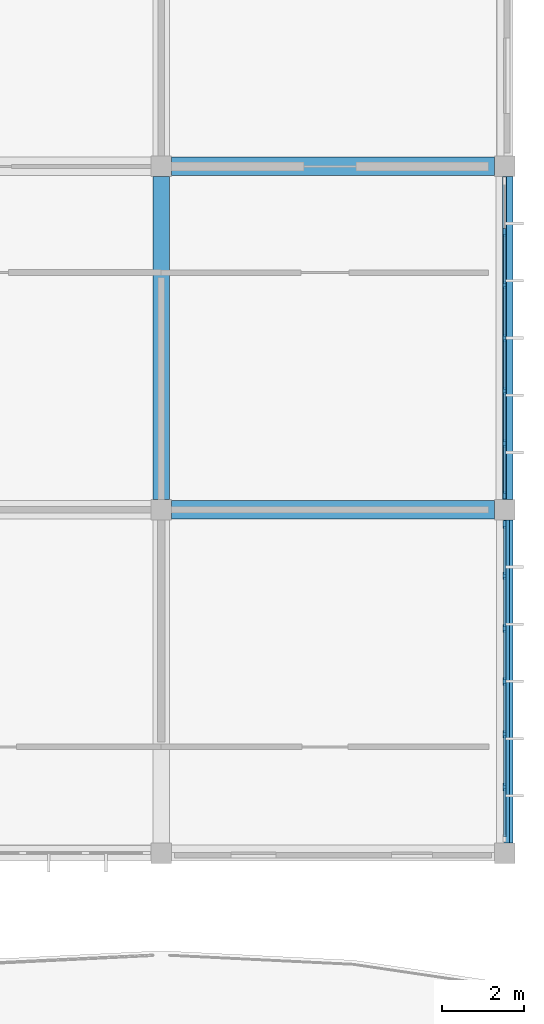
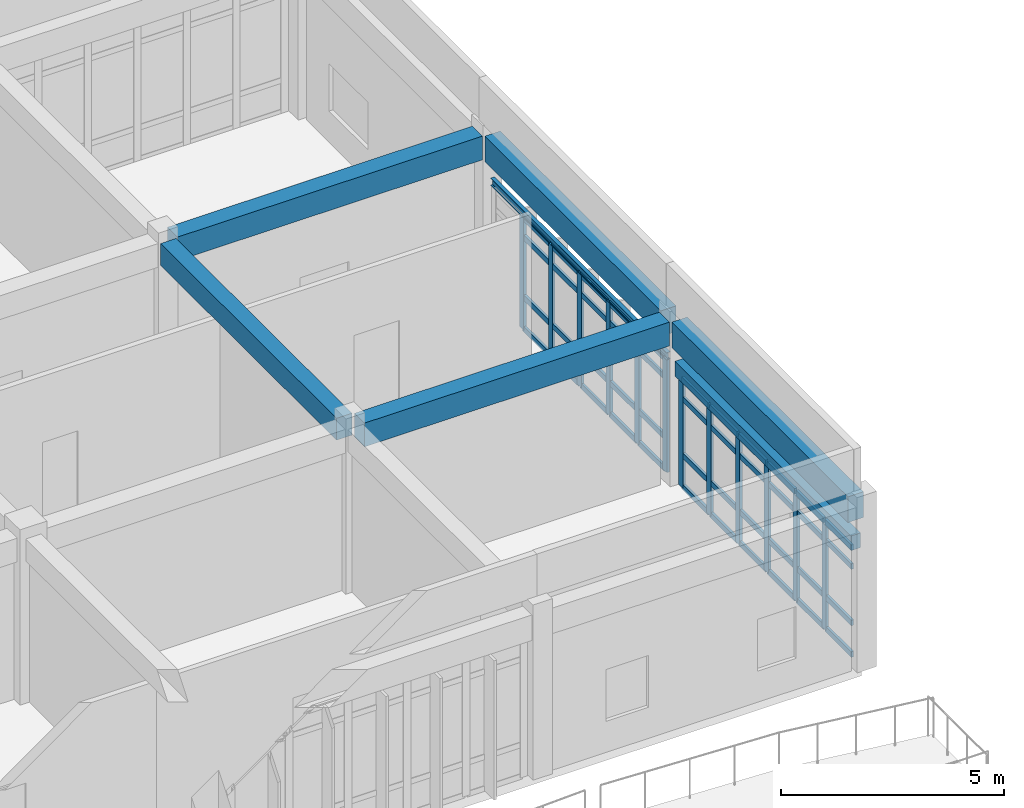
# One storey, part 60 of 138: 56 members, 7 beams, 2 elements without a shape of their own.
"""IFC4 building model written with IfcOpenShell, lengths in metres."""

from ifc_helpers import new_model, si_unit, direction, frame, origin, origin_2d, place, context, subcontext, project, spatial, rectangle, i_section, extrude, material, layer, layer_set, material_profile, profile_set, type_object, element, aggregate, save


model = new_model("IFC4")

# Units and contexts
model_context = context("Model", 3, precision=1e-05, world=origin(), true_north=direction((0.0, 1.0)))
body_context = subcontext(model_context, "Body", "Model", "MODEL_VIEW")
ifc_project = project(units=[si_unit("LENGTHUNIT", "METRE"), si_unit("AREAUNIT", "SQUARE_METRE"), si_unit("VOLUMEUNIT", "CUBIC_METRE"), si_unit("PLANEANGLEUNIT", "RADIAN"), si_unit("MASSUNIT", "GRAM", prefix="KILO")], contexts=[model_context])

# Site, building, storey
site_placement = place(None, origin())
site = spatial("IfcSite", under=ifc_project, at=site_placement, CompositionType="ELEMENT")
building_placement = place(site_placement, origin())
building = spatial("IfcBuilding", under=site, at=building_placement, Name="Bramfleet General Hospital", CompositionType="ELEMENT")
storey_placement = place(building_placement, origin())
storey = spatial("IfcBuildingStorey", under=building, at=storey_placement, Name="L00", CompositionType="ELEMENT", Elevation=0.0)

# Beams
ifc_material_1 = material(Name="Steel S355", Category="steel")
ifc_material_profile_1 = material_profile(ifc_material_1, i_section(OverallWidth=0.10009765625, OverallDepth=0.199951171875, WebThickness=0.005615234375, FlangeThickness=0.008544921875, FilletRadius=0.011962890625, at=origin_2d()), Name="IPE 200")
ifc_profile_set_1 = profile_set([ifc_material_profile_1], Name="Steel S355")
beam_type_1 = type_object("IfcBeamType", Name="BM-IPE200", PredefinedType="LINTEL", material=ifc_profile_set_1)
beam_1_placement = place(storey_placement, frame((184.800048828125, 101.050048828125, 3.199951171875), z_axis=(0.0, 1.0, 0.0), x_axis=(-1.0, 0.0, 0.0)))
element("IfcBeam", 1, at=beam_1_placement, inside=storey, type_object=beam_type_1, Name="Portal Opening Lintel LN-L00-DOCK-2", PredefinedType="LINTEL", context=body_context, shape_type="SweptSolid", body=[
    extrude(i_section(OverallWidth=0.10009765625, OverallDepth=0.199951171875, WebThickness=0.005615234375, FlangeThickness=0.008544921875, FilletRadius=0.011962890625, at=origin_2d()), origin(), (0.0, 0.0, 1.0), 7.89990234375),
])
ifc_material_2 = material(Name="Concrete C35/45", Category="concrete")
ifc_material_profile_2 = material_profile(ifc_material_2, rectangle(XDim=0.25, YDim=0.39990234375, at=origin_2d()), Name="RC LN 400x250")
ifc_profile_set_2 = profile_set([ifc_material_profile_2], Name="Concrete C35/45")
beam_type_2 = type_object("IfcBeamType", Name="BM-LN400", PredefinedType="LINTEL", material=ifc_profile_set_2)
beam_2_placement = place(storey_placement, frame((184.800048828125, 92.64990234375, 3.199951171875), z_axis=(0.0, 1.0, 0.0), x_axis=(-1.0, 0.0, 0.0)))
element("IfcBeam", 2, at=beam_2_placement, inside=storey, type_object=beam_type_2, Name="Portal Opening Lintel LN-L00-DOCK-1", PredefinedType="LINTEL", context=body_context, shape_type="SweptSolid", body=[
    extrude(rectangle(XDim=0.25, YDim=0.39990234375, at=origin_2d()), origin(), (0.0, 0.0, 1.0), 7.900146484375),
])
ifc_material_profile_3 = material_profile(ifc_material_2, rectangle(XDim=0.39990234375, YDim=0.60009765625, at=origin_2d()), Name="RC BM 600x400")
ifc_profile_set_3 = profile_set([ifc_material_profile_3], Name="Concrete C35/45")
beam_type_3 = type_object("IfcBeamType", Name="BM-RC600", PredefinedType="BEAM", material=ifc_profile_set_3)
beam_3_placement = place(storey_placement, frame((176.39990234375, 101.050048828125, 4.199951171875), z_axis=(0.0, 1.0, 0.0), x_axis=(-1.0, 0.0, 0.0)))
element("IfcBeam", 3, at=beam_3_placement, inside=storey, type_object=beam_type_3, Name="L00 Grid Beam Y 21-12", PredefinedType="BEAM", context=body_context, shape_type="SweptSolid", body=[
    extrude(rectangle(XDim=0.39990234375, YDim=0.60009765625, at=origin_2d()), origin(), (0.0, 0.0, 1.0), 7.89990234375),
])
ifc_material_profile_4 = material_profile(ifc_material_2, rectangle(XDim=0.449951171875, YDim=0.64990234375, at=origin_2d()), Name="RC BM 650x450")
ifc_profile_set_4 = profile_set([ifc_material_profile_4], Name="Concrete C35/45")
beam_type_4 = type_object("IfcBeamType", Name="BM-RC650", PredefinedType="BEAM", material=ifc_profile_set_4)
for number, where, z_axis, x_axis, name in (
    (4, (176.64990234375, 100.800048828125, 4.175048828125), (1.0, 0.0, 0.0), (0.0, 1.0, 0.0), "L00 Grid Beam X 21-12"),
    (5, (176.64990234375, 109.199951171875, 4.175048828125), (1.0, 0.0, 0.0), (0.0, 1.0, 0.0), "L00 Grid Beam X 21-13"),
):
    element("IfcBeam", number, at=place(storey_placement, frame(where, z_axis=z_axis, x_axis=x_axis)), inside=storey, type_object=beam_type_4, Name=name, PredefinedType="BEAM", context=body_context, shape_type="SweptSolid", body=[
        extrude(rectangle(XDim=0.449951171875, YDim=0.64990234375, at=origin_2d()), origin(), (0.0, 0.0, 1.0), 7.900146484375),
    ])
ifc_material_profile_5 = material_profile(ifc_material_2, rectangle(XDim=0.39990234375, YDim=0.699951171875, at=origin_2d()), Name="RC SP 700x400")
ifc_profile_set_5 = profile_set([ifc_material_profile_5], Name="Concrete C35/45")
beam_type_5 = type_object("IfcBeamType", Name="BM-SP700", PredefinedType="SPANDREL", material=ifc_profile_set_5)
beam_4_placement = place(storey_placement, frame((184.800048828125, 92.64990234375, 4.14990234375), z_axis=(0.0, 1.0, 0.0), x_axis=(-1.0, 0.0, 0.0)))
element("IfcBeam", 6, at=beam_4_placement, inside=storey, type_object=beam_type_5, Name="L00 Grid Beam Y 22-11", PredefinedType="SPANDREL", context=body_context, shape_type="SweptSolid", body=[
    extrude(rectangle(XDim=0.39990234375, YDim=0.699951171875, at=origin_2d()), origin(), (0.0, 0.0, 1.0), 7.900146484375),
])
beam_5_placement = place(storey_placement, frame((184.800048828125, 101.050048828125, 4.14990234375), z_axis=(0.0, 1.0, 0.0), x_axis=(-1.0, 0.0, 0.0)))
element("IfcBeam", 7, at=beam_5_placement, inside=storey, type_object=beam_type_5, Name="L00 Grid Beam Y 22-12", PredefinedType="SPANDREL", context=body_context, shape_type="SweptSolid", body=[
    extrude(rectangle(XDim=0.39990234375, YDim=0.699951171875, at=origin_2d()), origin(), (0.0, 0.0, 1.0), 7.89990234375),
])

# Curtain wall, members
ifc_material_3 = material(Name="Anodised aluminium and low-E triple glazing", Category="aluminium")
ifc_layer_1 = layer(ifc_material_3, 0.179931640625, Name="CWT-CW-07")
ifc_layer_set_1 = layer_set([ifc_layer_1], Name="Anodised aluminium and low-E triple glazing")
curtain_wall_type_1 = type_object("IfcCurtainWallType", Name="CWT-CW-07", PredefinedType="USERDEFINED", material=ifc_layer_set_1)
curtain_wall_1_placement = place(storey_placement, origin())
curtain_wall_1 = element("IfcCurtainWall", 8, at=curtain_wall_1_placement, inside=storey, type_object=curtain_wall_type_1, Name="L00 Curtain Wall 7", ObjectType="Unitised curtain wall", PredefinedType="USERDEFINED")
ifc_material_4 = material(Name="Structural timber GL28h", Category="wood")
ifc_material_profile_6 = material_profile(ifc_material_4, rectangle(XDim=0.070068359375, YDim=0.18994140625, at=origin_2d()), Name="LARCH 190x70")
ifc_profile_set_6 = profile_set([ifc_material_profile_6], Name="Structural timber GL28h")
member_type_1 = type_object("IfcMemberType", Name="CWM-LARCH450", PredefinedType="MULLION", material=ifc_profile_set_6)
member_1_placement = place(storey_placement, frame((184.800048828125, 107.583251953125, 0.0), z_axis=(0.0, 0.0, 1.0), x_axis=(1.0, 0.0, 0.0)))
member_1 = element("IfcMember", 9, at=member_1_placement, type_object=member_type_1, Name="CW-07 mullion 2", PredefinedType="MULLION", context=body_context, shape_type="SweptSolid", body=[
    extrude(rectangle(XDim=0.070068359375, YDim=0.18994140625, at=origin_2d()), origin(), (0.0, 0.0, 1.0), 3.090087890625),
])
member_2_placement = place(storey_placement, frame((184.800048828125, 106.291748046875, 0.0), z_axis=(0.0, 0.0, 1.0), x_axis=(1.0, 0.0, 0.0)))
member_2 = element("IfcMember", 10, at=member_2_placement, type_object=member_type_1, Name="CW-07 mullion 3", PredefinedType="MULLION", context=body_context, shape_type="SweptSolid", body=[
    extrude(rectangle(XDim=0.070068359375, YDim=0.18994140625, at=origin_2d()), origin(), (0.0, 0.0, 1.0), 3.090087890625),
])
member_3_placement = place(storey_placement, frame((184.800048828125, 105.0, 0.0), z_axis=(0.0, 0.0, 1.0), x_axis=(1.0, 0.0, 0.0)))
member_3 = element("IfcMember", 11, at=member_3_placement, type_object=member_type_1, Name="CW-07 mullion 4", PredefinedType="MULLION", context=body_context, shape_type="SweptSolid", body=[
    extrude(rectangle(XDim=0.070068359375, YDim=0.18994140625, at=origin_2d()), origin(), (0.0, 0.0, 1.0), 3.090087890625),
])
member_4_placement = place(storey_placement, frame((184.800048828125, 103.708251953125, 0.0), z_axis=(0.0, 0.0, 1.0), x_axis=(1.0, 0.0, 0.0)))
member_4 = element("IfcMember", 12, at=member_4_placement, type_object=member_type_1, Name="CW-07 mullion 5", PredefinedType="MULLION", context=body_context, shape_type="SweptSolid", body=[
    extrude(rectangle(XDim=0.070068359375, YDim=0.18994140625, at=origin_2d()), origin(), (0.0, 0.0, 1.0), 3.090087890625),
])
member_5_placement = place(storey_placement, frame((184.800048828125, 102.416748046875, 0.0), z_axis=(0.0, 0.0, 1.0), x_axis=(1.0, 0.0, 0.0)))
member_5 = element("IfcMember", 13, at=member_5_placement, type_object=member_type_1, Name="CW-07 mullion 6", PredefinedType="MULLION", context=body_context, shape_type="SweptSolid", body=[
    extrude(rectangle(XDim=0.070068359375, YDim=0.18994140625, at=origin_2d()), origin(), (0.0, 0.0, 1.0), 3.090087890625),
])
member_6_placement = place(storey_placement, frame((184.800048828125, 101.159912109375, 0.0), z_axis=(0.0, 0.0, 1.0), x_axis=(1.0, 0.0, 0.0)))
member_6 = element("IfcMember", 14, at=member_6_placement, type_object=member_type_1, Name="CW-07 mullion 7", PredefinedType="MULLION", context=body_context, shape_type="SweptSolid", body=[
    extrude(rectangle(XDim=0.070068359375, YDim=0.18994140625, at=origin_2d()), origin(), (0.0, 0.0, 1.0), 3.090087890625),
])

ifc_layer_2 = layer(ifc_material_3, 0.179931640625, Name="CWT-CW-08")
ifc_layer_set_2 = layer_set([ifc_layer_2], Name="Anodised aluminium and low-E triple glazing")
curtain_wall_type_2 = type_object("IfcCurtainWallType", Name="CWT-CW-08", PredefinedType="USERDEFINED", material=ifc_layer_set_2)
curtain_wall_2_placement = place(storey_placement, origin())
curtain_wall_2 = element("IfcCurtainWall", 15, at=curtain_wall_2_placement, inside=storey, type_object=curtain_wall_type_2, Name="L00 Curtain Wall 8", ObjectType="Unitised curtain wall", PredefinedType="USERDEFINED")
member_7_placement = place(storey_placement, frame((184.800048828125, 100.43994140625, 0.0), z_axis=(0.0, 0.0, 1.0), x_axis=(1.0, 0.0, 0.0)))
member_7 = element("IfcMember", 16, at=member_7_placement, type_object=member_type_1, Name="CW-08 mullion 1", PredefinedType="MULLION", context=body_context, shape_type="SweptSolid", body=[
    extrude(rectangle(XDim=0.070068359375, YDim=0.18994140625, at=origin_2d()), origin(), (0.0, 0.0, 1.0), 2.989990234375),
])
member_8_placement = place(storey_placement, frame((184.800048828125, 99.183349609375, 0.0), z_axis=(0.0, 0.0, 1.0), x_axis=(1.0, 0.0, 0.0)))
member_8 = element("IfcMember", 17, at=member_8_placement, type_object=member_type_1, Name="CW-08 mullion 2", PredefinedType="MULLION", context=body_context, shape_type="SweptSolid", body=[
    extrude(rectangle(XDim=0.070068359375, YDim=0.18994140625, at=origin_2d()), origin(), (0.0, 0.0, 1.0), 2.989990234375),
])
member_9_placement = place(storey_placement, frame((184.800048828125, 97.8916015625, 0.0), z_axis=(0.0, 0.0, 1.0), x_axis=(1.0, 0.0, 0.0)))
member_9 = element("IfcMember", 18, at=member_9_placement, type_object=member_type_1, Name="CW-08 mullion 3", PredefinedType="MULLION", context=body_context, shape_type="SweptSolid", body=[
    extrude(rectangle(XDim=0.070068359375, YDim=0.18994140625, at=origin_2d()), origin(), (0.0, 0.0, 1.0), 2.989990234375),
])
member_10_placement = place(storey_placement, frame((184.800048828125, 96.60009765625, 0.0), z_axis=(0.0, 0.0, 1.0), x_axis=(1.0, 0.0, 0.0)))
member_10 = element("IfcMember", 19, at=member_10_placement, type_object=member_type_1, Name="CW-08 mullion 4", PredefinedType="MULLION", context=body_context, shape_type="SweptSolid", body=[
    extrude(rectangle(XDim=0.070068359375, YDim=0.18994140625, at=origin_2d()), origin(), (0.0, 0.0, 1.0), 2.989990234375),
])
member_11_placement = place(storey_placement, frame((184.800048828125, 95.308349609375, 0.0), z_axis=(0.0, 0.0, 1.0), x_axis=(1.0, 0.0, 0.0)))
member_11 = element("IfcMember", 20, at=member_11_placement, type_object=member_type_1, Name="CW-08 mullion 5", PredefinedType="MULLION", context=body_context, shape_type="SweptSolid", body=[
    extrude(rectangle(XDim=0.070068359375, YDim=0.18994140625, at=origin_2d()), origin(), (0.0, 0.0, 1.0), 2.989990234375),
])
member_12_placement = place(storey_placement, frame((184.800048828125, 94.0166015625, 0.0), z_axis=(0.0, 0.0, 1.0), x_axis=(1.0, 0.0, 0.0)))
member_12 = element("IfcMember", 21, at=member_12_placement, type_object=member_type_1, Name="CW-08 mullion 6", PredefinedType="MULLION", context=body_context, shape_type="SweptSolid", body=[
    extrude(rectangle(XDim=0.070068359375, YDim=0.18994140625, at=origin_2d()), origin(), (0.0, 0.0, 1.0), 2.989990234375),
])

# Member
ifc_material_profile_7 = material_profile(ifc_material_4, rectangle(XDim=0.06494140625, YDim=0.14990234375, at=origin_2d()), Name="LARCH 150x65")
ifc_profile_set_7 = profile_set([ifc_material_profile_7], Name="Structural timber GL28h")
member_type_2 = type_object("IfcMemberType", Name="CWT-LARCH220", PredefinedType="USERDEFINED", material=ifc_profile_set_7)
member_13_placement = place(storey_placement, frame((184.800048828125, 107.54833984375, 0.032470703125), z_axis=(0.0, -1.0, 0.0), x_axis=(1.0, 0.0, 0.0)))
member_13 = element("IfcMember", 22, at=member_13_placement, type_object=member_type_2, Name="CW-07 transom 2.1", ObjectType="TRANSOM", PredefinedType="USERDEFINED", context=body_context, shape_type="SweptSolid", body=[
    extrude(rectangle(XDim=0.06494140625, YDim=0.14990234375, at=origin_2d()), origin(), (0.0, 0.0, 1.0), 1.2216796875),
])

member_14_placement = place(storey_placement, frame((184.800048828125, 107.54833984375, 0.89990234375), z_axis=(0.0, -1.0, 0.0), x_axis=(1.0, 0.0, 0.0)))
member_14 = element("IfcMember", 23, at=member_14_placement, type_object=member_type_2, Name="CW-07 transom 2.2", ObjectType="TRANSOM", PredefinedType="USERDEFINED", context=body_context, shape_type="SweptSolid", body=[
    extrude(rectangle(XDim=0.06494140625, YDim=0.14990234375, at=origin_2d()), origin(), (0.0, 0.0, 1.0), 1.2216796875),
])

member_15_placement = place(storey_placement, frame((184.800048828125, 107.54833984375, 2.5400390625), z_axis=(0.0, -1.0, 0.0), x_axis=(1.0, 0.0, 0.0)))
member_15 = element("IfcMember", 24, at=member_15_placement, type_object=member_type_2, Name="CW-07 transom 2.3", ObjectType="TRANSOM", PredefinedType="USERDEFINED", context=body_context, shape_type="SweptSolid", body=[
    extrude(rectangle(XDim=0.06494140625, YDim=0.14990234375, at=origin_2d()), origin(), (0.0, 0.0, 1.0), 1.2216796875),
])

member_16_placement = place(storey_placement, frame((184.800048828125, 107.54833984375, 3.0576171875), z_axis=(0.0, -1.0, 0.0), x_axis=(1.0, 0.0, 0.0)))
member_16 = element("IfcMember", 25, at=member_16_placement, type_object=member_type_2, Name="CW-07 transom 2.4", ObjectType="TRANSOM", PredefinedType="USERDEFINED", context=body_context, shape_type="SweptSolid", body=[
    extrude(rectangle(XDim=0.06494140625, YDim=0.14990234375, at=origin_2d()), origin(), (0.0, 0.0, 1.0), 1.2216796875),
])

member_17_placement = place(storey_placement, frame((184.800048828125, 106.256591796875, 0.032470703125), z_axis=(0.0, -1.0, 0.0), x_axis=(1.0, 0.0, 0.0)))
member_17 = element("IfcMember", 26, at=member_17_placement, type_object=member_type_2, Name="CW-07 transom 3.1", ObjectType="TRANSOM", PredefinedType="USERDEFINED", context=body_context, shape_type="SweptSolid", body=[
    extrude(rectangle(XDim=0.06494140625, YDim=0.14990234375, at=origin_2d()), origin(), (0.0, 0.0, 1.0), 1.2216796875),
])

member_18_placement = place(storey_placement, frame((184.800048828125, 106.256591796875, 0.89990234375), z_axis=(0.0, -1.0, 0.0), x_axis=(1.0, 0.0, 0.0)))
member_18 = element("IfcMember", 27, at=member_18_placement, type_object=member_type_2, Name="CW-07 transom 3.2", ObjectType="TRANSOM", PredefinedType="USERDEFINED", context=body_context, shape_type="SweptSolid", body=[
    extrude(rectangle(XDim=0.06494140625, YDim=0.14990234375, at=origin_2d()), origin(), (0.0, 0.0, 1.0), 1.2216796875),
])

member_19_placement = place(storey_placement, frame((184.800048828125, 106.256591796875, 2.5400390625), z_axis=(0.0, -1.0, 0.0), x_axis=(1.0, 0.0, 0.0)))
member_19 = element("IfcMember", 28, at=member_19_placement, type_object=member_type_2, Name="CW-07 transom 3.3", ObjectType="TRANSOM", PredefinedType="USERDEFINED", context=body_context, shape_type="SweptSolid", body=[
    extrude(rectangle(XDim=0.06494140625, YDim=0.14990234375, at=origin_2d()), origin(), (0.0, 0.0, 1.0), 1.2216796875),
])

member_20_placement = place(storey_placement, frame((184.800048828125, 106.256591796875, 3.0576171875), z_axis=(0.0, -1.0, 0.0), x_axis=(1.0, 0.0, 0.0)))
member_20 = element("IfcMember", 29, at=member_20_placement, type_object=member_type_2, Name="CW-07 transom 3.4", ObjectType="TRANSOM", PredefinedType="USERDEFINED", context=body_context, shape_type="SweptSolid", body=[
    extrude(rectangle(XDim=0.06494140625, YDim=0.14990234375, at=origin_2d()), origin(), (0.0, 0.0, 1.0), 1.2216796875),
])

member_21_placement = place(storey_placement, frame((184.800048828125, 104.965087890625, 0.032470703125), z_axis=(0.0, -1.0, 0.0), x_axis=(1.0, 0.0, 0.0)))
member_21 = element("IfcMember", 30, at=member_21_placement, type_object=member_type_2, Name="CW-07 transom 4.1", ObjectType="TRANSOM", PredefinedType="USERDEFINED", context=body_context, shape_type="SweptSolid", body=[
    extrude(rectangle(XDim=0.06494140625, YDim=0.14990234375, at=origin_2d()), origin(), (0.0, 0.0, 1.0), 1.2216796875),
])

member_22_placement = place(storey_placement, frame((184.800048828125, 104.965087890625, 0.89990234375), z_axis=(0.0, -1.0, 0.0), x_axis=(1.0, 0.0, 0.0)))
member_22 = element("IfcMember", 31, at=member_22_placement, type_object=member_type_2, Name="CW-07 transom 4.2", ObjectType="TRANSOM", PredefinedType="USERDEFINED", context=body_context, shape_type="SweptSolid", body=[
    extrude(rectangle(XDim=0.06494140625, YDim=0.14990234375, at=origin_2d()), origin(), (0.0, 0.0, 1.0), 1.2216796875),
])

member_23_placement = place(storey_placement, frame((184.800048828125, 104.965087890625, 2.5400390625), z_axis=(0.0, -1.0, 0.0), x_axis=(1.0, 0.0, 0.0)))
member_23 = element("IfcMember", 32, at=member_23_placement, type_object=member_type_2, Name="CW-07 transom 4.3", ObjectType="TRANSOM", PredefinedType="USERDEFINED", context=body_context, shape_type="SweptSolid", body=[
    extrude(rectangle(XDim=0.06494140625, YDim=0.14990234375, at=origin_2d()), origin(), (0.0, 0.0, 1.0), 1.2216796875),
])

member_24_placement = place(storey_placement, frame((184.800048828125, 104.965087890625, 3.0576171875), z_axis=(0.0, -1.0, 0.0), x_axis=(1.0, 0.0, 0.0)))
member_24 = element("IfcMember", 33, at=member_24_placement, type_object=member_type_2, Name="CW-07 transom 4.4", ObjectType="TRANSOM", PredefinedType="USERDEFINED", context=body_context, shape_type="SweptSolid", body=[
    extrude(rectangle(XDim=0.06494140625, YDim=0.14990234375, at=origin_2d()), origin(), (0.0, 0.0, 1.0), 1.2216796875),
])

member_25_placement = place(storey_placement, frame((184.800048828125, 103.67333984375, 0.032470703125), z_axis=(0.0, -1.0, 0.0), x_axis=(1.0, 0.0, 0.0)))
member_25 = element("IfcMember", 34, at=member_25_placement, type_object=member_type_2, Name="CW-07 transom 5.1", ObjectType="TRANSOM", PredefinedType="USERDEFINED", context=body_context, shape_type="SweptSolid", body=[
    extrude(rectangle(XDim=0.06494140625, YDim=0.14990234375, at=origin_2d()), origin(), (0.0, 0.0, 1.0), 1.2216796875),
])

member_26_placement = place(storey_placement, frame((184.800048828125, 103.67333984375, 0.89990234375), z_axis=(0.0, -1.0, 0.0), x_axis=(1.0, 0.0, 0.0)))
member_26 = element("IfcMember", 35, at=member_26_placement, type_object=member_type_2, Name="CW-07 transom 5.2", ObjectType="TRANSOM", PredefinedType="USERDEFINED", context=body_context, shape_type="SweptSolid", body=[
    extrude(rectangle(XDim=0.06494140625, YDim=0.14990234375, at=origin_2d()), origin(), (0.0, 0.0, 1.0), 1.2216796875),
])

member_27_placement = place(storey_placement, frame((184.800048828125, 103.67333984375, 2.5400390625), z_axis=(0.0, -1.0, 0.0), x_axis=(1.0, 0.0, 0.0)))
member_27 = element("IfcMember", 36, at=member_27_placement, type_object=member_type_2, Name="CW-07 transom 5.3", ObjectType="TRANSOM", PredefinedType="USERDEFINED", context=body_context, shape_type="SweptSolid", body=[
    extrude(rectangle(XDim=0.06494140625, YDim=0.14990234375, at=origin_2d()), origin(), (0.0, 0.0, 1.0), 1.2216796875),
])

member_28_placement = place(storey_placement, frame((184.800048828125, 103.67333984375, 3.0576171875), z_axis=(0.0, -1.0, 0.0), x_axis=(1.0, 0.0, 0.0)))
member_28 = element("IfcMember", 37, at=member_28_placement, type_object=member_type_2, Name="CW-07 transom 5.4", ObjectType="TRANSOM", PredefinedType="USERDEFINED", context=body_context, shape_type="SweptSolid", body=[
    extrude(rectangle(XDim=0.06494140625, YDim=0.14990234375, at=origin_2d()), origin(), (0.0, 0.0, 1.0), 1.2216796875),
])

member_29_placement = place(storey_placement, frame((184.800048828125, 102.381591796875, 0.032470703125), z_axis=(0.0, -1.0, 0.0), x_axis=(1.0, 0.0, 0.0)))
member_29 = element("IfcMember", 38, at=member_29_placement, type_object=member_type_2, Name="CW-07 transom 6.1", ObjectType="TRANSOM", PredefinedType="USERDEFINED", context=body_context, shape_type="SweptSolid", body=[
    extrude(rectangle(XDim=0.06494140625, YDim=0.14990234375, at=origin_2d()), origin(), (0.0, 0.0, 1.0), 1.1865234375),
])

member_30_placement = place(storey_placement, frame((184.800048828125, 102.381591796875, 0.89990234375), z_axis=(0.0, -1.0, 0.0), x_axis=(1.0, 0.0, 0.0)))
member_30 = element("IfcMember", 39, at=member_30_placement, type_object=member_type_2, Name="CW-07 transom 6.2", ObjectType="TRANSOM", PredefinedType="USERDEFINED", context=body_context, shape_type="SweptSolid", body=[
    extrude(rectangle(XDim=0.06494140625, YDim=0.14990234375, at=origin_2d()), origin(), (0.0, 0.0, 1.0), 1.1865234375),
])

member_31_placement = place(storey_placement, frame((184.800048828125, 102.381591796875, 2.5400390625), z_axis=(0.0, -1.0, 0.0), x_axis=(1.0, 0.0, 0.0)))
member_31 = element("IfcMember", 40, at=member_31_placement, type_object=member_type_2, Name="CW-07 transom 6.3", ObjectType="TRANSOM", PredefinedType="USERDEFINED", context=body_context, shape_type="SweptSolid", body=[
    extrude(rectangle(XDim=0.06494140625, YDim=0.14990234375, at=origin_2d()), origin(), (0.0, 0.0, 1.0), 1.1865234375),
])

member_32_placement = place(storey_placement, frame((184.800048828125, 102.381591796875, 3.0576171875), z_axis=(0.0, -1.0, 0.0), x_axis=(1.0, 0.0, 0.0)))
member_32 = element("IfcMember", 41, at=member_32_placement, type_object=member_type_2, Name="CW-07 transom 6.4", ObjectType="TRANSOM", PredefinedType="USERDEFINED", context=body_context, shape_type="SweptSolid", body=[
    extrude(rectangle(XDim=0.06494140625, YDim=0.14990234375, at=origin_2d()), origin(), (0.0, 0.0, 1.0), 1.1865234375),
])

aggregate(curtain_wall_1, [member_1, member_2, member_3, member_4, member_5, member_6, member_13, member_14, member_15, member_16, member_17, member_18, member_19, member_20, member_21, member_22, member_23, member_24, member_25, member_26, member_27, member_28, member_29, member_30, member_31, member_32])

member_33_placement = place(storey_placement, frame((184.800048828125, 100.405029296875, 0.032470703125), z_axis=(0.0, -1.0, 0.0), x_axis=(1.0, 0.0, 0.0)))
member_33 = element("IfcMember", 42, at=member_33_placement, type_object=member_type_2, Name="CW-08 transom 1.1", ObjectType="TRANSOM", PredefinedType="USERDEFINED", context=body_context, shape_type="SweptSolid", body=[
    extrude(rectangle(XDim=0.06494140625, YDim=0.14990234375, at=origin_2d()), origin(), (0.0, 0.0, 1.0), 1.186767578125),
])

member_34_placement = place(storey_placement, frame((184.800048828125, 100.405029296875, 0.89990234375), z_axis=(0.0, -1.0, 0.0), x_axis=(1.0, 0.0, 0.0)))
member_34 = element("IfcMember", 43, at=member_34_placement, type_object=member_type_2, Name="CW-08 transom 1.2", ObjectType="TRANSOM", PredefinedType="USERDEFINED", context=body_context, shape_type="SweptSolid", body=[
    extrude(rectangle(XDim=0.06494140625, YDim=0.14990234375, at=origin_2d()), origin(), (0.0, 0.0, 1.0), 1.186767578125),
])

member_35_placement = place(storey_placement, frame((184.800048828125, 100.405029296875, 2.43994140625), z_axis=(0.0, -1.0, 0.0), x_axis=(1.0, 0.0, 0.0)))
member_35 = element("IfcMember", 44, at=member_35_placement, type_object=member_type_2, Name="CW-08 transom 1.3", ObjectType="TRANSOM", PredefinedType="USERDEFINED", context=body_context, shape_type="SweptSolid", body=[
    extrude(rectangle(XDim=0.06494140625, YDim=0.14990234375, at=origin_2d()), origin(), (0.0, 0.0, 1.0), 1.186767578125),
])

member_36_placement = place(storey_placement, frame((184.800048828125, 100.405029296875, 2.95751953125), z_axis=(0.0, -1.0, 0.0), x_axis=(1.0, 0.0, 0.0)))
member_36 = element("IfcMember", 45, at=member_36_placement, type_object=member_type_2, Name="CW-08 transom 1.4", ObjectType="TRANSOM", PredefinedType="USERDEFINED", context=body_context, shape_type="SweptSolid", body=[
    extrude(rectangle(XDim=0.06494140625, YDim=0.14990234375, at=origin_2d()), origin(), (0.0, 0.0, 1.0), 1.186767578125),
])

member_37_placement = place(storey_placement, frame((184.800048828125, 99.1484375, 0.032470703125), z_axis=(0.0, -1.0, 0.0), x_axis=(1.0, 0.0, 0.0)))
member_37 = element("IfcMember", 46, at=member_37_placement, type_object=member_type_2, Name="CW-08 transom 2.1", ObjectType="TRANSOM", PredefinedType="USERDEFINED", context=body_context, shape_type="SweptSolid", body=[
    extrude(rectangle(XDim=0.06494140625, YDim=0.14990234375, at=origin_2d()), origin(), (0.0, 0.0, 1.0), 1.2216796875),
])

member_38_placement = place(storey_placement, frame((184.800048828125, 99.1484375, 0.89990234375), z_axis=(0.0, -1.0, 0.0), x_axis=(1.0, 0.0, 0.0)))
member_38 = element("IfcMember", 47, at=member_38_placement, type_object=member_type_2, Name="CW-08 transom 2.2", ObjectType="TRANSOM", PredefinedType="USERDEFINED", context=body_context, shape_type="SweptSolid", body=[
    extrude(rectangle(XDim=0.06494140625, YDim=0.14990234375, at=origin_2d()), origin(), (0.0, 0.0, 1.0), 1.2216796875),
])

member_39_placement = place(storey_placement, frame((184.800048828125, 99.1484375, 2.43994140625), z_axis=(0.0, -1.0, 0.0), x_axis=(1.0, 0.0, 0.0)))
member_39 = element("IfcMember", 48, at=member_39_placement, type_object=member_type_2, Name="CW-08 transom 2.3", ObjectType="TRANSOM", PredefinedType="USERDEFINED", context=body_context, shape_type="SweptSolid", body=[
    extrude(rectangle(XDim=0.06494140625, YDim=0.14990234375, at=origin_2d()), origin(), (0.0, 0.0, 1.0), 1.2216796875),
])

member_40_placement = place(storey_placement, frame((184.800048828125, 99.1484375, 2.95751953125), z_axis=(0.0, -1.0, 0.0), x_axis=(1.0, 0.0, 0.0)))
member_40 = element("IfcMember", 49, at=member_40_placement, type_object=member_type_2, Name="CW-08 transom 2.4", ObjectType="TRANSOM", PredefinedType="USERDEFINED", context=body_context, shape_type="SweptSolid", body=[
    extrude(rectangle(XDim=0.06494140625, YDim=0.14990234375, at=origin_2d()), origin(), (0.0, 0.0, 1.0), 1.2216796875),
])

member_41_placement = place(storey_placement, frame((184.800048828125, 97.856689453125, 0.032470703125), z_axis=(0.0, -1.0, 0.0), x_axis=(1.0, 0.0, 0.0)))
member_41 = element("IfcMember", 50, at=member_41_placement, type_object=member_type_2, Name="CW-08 transom 3.1", ObjectType="TRANSOM", PredefinedType="USERDEFINED", context=body_context, shape_type="SweptSolid", body=[
    extrude(rectangle(XDim=0.06494140625, YDim=0.14990234375, at=origin_2d()), origin(), (0.0, 0.0, 1.0), 1.2216796875),
])

member_42_placement = place(storey_placement, frame((184.800048828125, 97.856689453125, 0.89990234375), z_axis=(0.0, -1.0, 0.0), x_axis=(1.0, 0.0, 0.0)))
member_42 = element("IfcMember", 51, at=member_42_placement, type_object=member_type_2, Name="CW-08 transom 3.2", ObjectType="TRANSOM", PredefinedType="USERDEFINED", context=body_context, shape_type="SweptSolid", body=[
    extrude(rectangle(XDim=0.06494140625, YDim=0.14990234375, at=origin_2d()), origin(), (0.0, 0.0, 1.0), 1.2216796875),
])

member_43_placement = place(storey_placement, frame((184.800048828125, 97.856689453125, 2.43994140625), z_axis=(0.0, -1.0, 0.0), x_axis=(1.0, 0.0, 0.0)))
member_43 = element("IfcMember", 52, at=member_43_placement, type_object=member_type_2, Name="CW-08 transom 3.3", ObjectType="TRANSOM", PredefinedType="USERDEFINED", context=body_context, shape_type="SweptSolid", body=[
    extrude(rectangle(XDim=0.06494140625, YDim=0.14990234375, at=origin_2d()), origin(), (0.0, 0.0, 1.0), 1.2216796875),
])

member_44_placement = place(storey_placement, frame((184.800048828125, 97.856689453125, 2.95751953125), z_axis=(0.0, -1.0, 0.0), x_axis=(1.0, 0.0, 0.0)))
member_44 = element("IfcMember", 53, at=member_44_placement, type_object=member_type_2, Name="CW-08 transom 3.4", ObjectType="TRANSOM", PredefinedType="USERDEFINED", context=body_context, shape_type="SweptSolid", body=[
    extrude(rectangle(XDim=0.06494140625, YDim=0.14990234375, at=origin_2d()), origin(), (0.0, 0.0, 1.0), 1.2216796875),
])

member_45_placement = place(storey_placement, frame((184.800048828125, 96.56494140625, 0.032470703125), z_axis=(0.0, -1.0, 0.0), x_axis=(1.0, 0.0, 0.0)))
member_45 = element("IfcMember", 54, at=member_45_placement, type_object=member_type_2, Name="CW-08 transom 4.1", ObjectType="TRANSOM", PredefinedType="USERDEFINED", context=body_context, shape_type="SweptSolid", body=[
    extrude(rectangle(XDim=0.06494140625, YDim=0.14990234375, at=origin_2d()), origin(), (0.0, 0.0, 1.0), 1.2216796875),
])

member_46_placement = place(storey_placement, frame((184.800048828125, 96.56494140625, 0.89990234375), z_axis=(0.0, -1.0, 0.0), x_axis=(1.0, 0.0, 0.0)))
member_46 = element("IfcMember", 55, at=member_46_placement, type_object=member_type_2, Name="CW-08 transom 4.2", ObjectType="TRANSOM", PredefinedType="USERDEFINED", context=body_context, shape_type="SweptSolid", body=[
    extrude(rectangle(XDim=0.06494140625, YDim=0.14990234375, at=origin_2d()), origin(), (0.0, 0.0, 1.0), 1.2216796875),
])

member_47_placement = place(storey_placement, frame((184.800048828125, 96.56494140625, 2.43994140625), z_axis=(0.0, -1.0, 0.0), x_axis=(1.0, 0.0, 0.0)))
member_47 = element("IfcMember", 56, at=member_47_placement, type_object=member_type_2, Name="CW-08 transom 4.3", ObjectType="TRANSOM", PredefinedType="USERDEFINED", context=body_context, shape_type="SweptSolid", body=[
    extrude(rectangle(XDim=0.06494140625, YDim=0.14990234375, at=origin_2d()), origin(), (0.0, 0.0, 1.0), 1.2216796875),
])

member_48_placement = place(storey_placement, frame((184.800048828125, 96.56494140625, 2.95751953125), z_axis=(0.0, -1.0, 0.0), x_axis=(1.0, 0.0, 0.0)))
member_48 = element("IfcMember", 57, at=member_48_placement, type_object=member_type_2, Name="CW-08 transom 4.4", ObjectType="TRANSOM", PredefinedType="USERDEFINED", context=body_context, shape_type="SweptSolid", body=[
    extrude(rectangle(XDim=0.06494140625, YDim=0.14990234375, at=origin_2d()), origin(), (0.0, 0.0, 1.0), 1.2216796875),
])

member_49_placement = place(storey_placement, frame((184.800048828125, 95.2734375, 0.032470703125), z_axis=(0.0, -1.0, 0.0), x_axis=(1.0, 0.0, 0.0)))
member_49 = element("IfcMember", 58, at=member_49_placement, type_object=member_type_2, Name="CW-08 transom 5.1", ObjectType="TRANSOM", PredefinedType="USERDEFINED", context=body_context, shape_type="SweptSolid", body=[
    extrude(rectangle(XDim=0.06494140625, YDim=0.14990234375, at=origin_2d()), origin(), (0.0, 0.0, 1.0), 1.2216796875),
])

member_50_placement = place(storey_placement, frame((184.800048828125, 95.2734375, 0.89990234375), z_axis=(0.0, -1.0, 0.0), x_axis=(1.0, 0.0, 0.0)))
member_50 = element("IfcMember", 59, at=member_50_placement, type_object=member_type_2, Name="CW-08 transom 5.2", ObjectType="TRANSOM", PredefinedType="USERDEFINED", context=body_context, shape_type="SweptSolid", body=[
    extrude(rectangle(XDim=0.06494140625, YDim=0.14990234375, at=origin_2d()), origin(), (0.0, 0.0, 1.0), 1.2216796875),
])

member_51_placement = place(storey_placement, frame((184.800048828125, 95.2734375, 2.43994140625), z_axis=(0.0, -1.0, 0.0), x_axis=(1.0, 0.0, 0.0)))
member_51 = element("IfcMember", 60, at=member_51_placement, type_object=member_type_2, Name="CW-08 transom 5.3", ObjectType="TRANSOM", PredefinedType="USERDEFINED", context=body_context, shape_type="SweptSolid", body=[
    extrude(rectangle(XDim=0.06494140625, YDim=0.14990234375, at=origin_2d()), origin(), (0.0, 0.0, 1.0), 1.2216796875),
])

member_52_placement = place(storey_placement, frame((184.800048828125, 95.2734375, 2.95751953125), z_axis=(0.0, -1.0, 0.0), x_axis=(1.0, 0.0, 0.0)))
member_52 = element("IfcMember", 61, at=member_52_placement, type_object=member_type_2, Name="CW-08 transom 5.4", ObjectType="TRANSOM", PredefinedType="USERDEFINED", context=body_context, shape_type="SweptSolid", body=[
    extrude(rectangle(XDim=0.06494140625, YDim=0.14990234375, at=origin_2d()), origin(), (0.0, 0.0, 1.0), 1.2216796875),
])

member_53_placement = place(storey_placement, frame((184.800048828125, 93.981689453125, 0.032470703125), z_axis=(0.0, -1.0, 0.0), x_axis=(1.0, 0.0, 0.0)))
member_53 = element("IfcMember", 62, at=member_53_placement, type_object=member_type_2, Name="CW-08 transom 6.1", ObjectType="TRANSOM", PredefinedType="USERDEFINED", context=body_context, shape_type="SweptSolid", body=[
    extrude(rectangle(XDim=0.06494140625, YDim=0.14990234375, at=origin_2d()), origin(), (0.0, 0.0, 1.0), 1.186767578125),
])

member_54_placement = place(storey_placement, frame((184.800048828125, 93.981689453125, 0.89990234375), z_axis=(0.0, -1.0, 0.0), x_axis=(1.0, 0.0, 0.0)))
member_54 = element("IfcMember", 63, at=member_54_placement, type_object=member_type_2, Name="CW-08 transom 6.2", ObjectType="TRANSOM", PredefinedType="USERDEFINED", context=body_context, shape_type="SweptSolid", body=[
    extrude(rectangle(XDim=0.06494140625, YDim=0.14990234375, at=origin_2d()), origin(), (0.0, 0.0, 1.0), 1.186767578125),
])

member_55_placement = place(storey_placement, frame((184.800048828125, 93.981689453125, 2.43994140625), z_axis=(0.0, -1.0, 0.0), x_axis=(1.0, 0.0, 0.0)))
member_55 = element("IfcMember", 64, at=member_55_placement, type_object=member_type_2, Name="CW-08 transom 6.3", ObjectType="TRANSOM", PredefinedType="USERDEFINED", context=body_context, shape_type="SweptSolid", body=[
    extrude(rectangle(XDim=0.06494140625, YDim=0.14990234375, at=origin_2d()), origin(), (0.0, 0.0, 1.0), 1.186767578125),
])

member_56_placement = place(storey_placement, frame((184.800048828125, 93.981689453125, 2.95751953125), z_axis=(0.0, -1.0, 0.0), x_axis=(1.0, 0.0, 0.0)))
member_56 = element("IfcMember", 65, at=member_56_placement, type_object=member_type_2, Name="CW-08 transom 6.4", ObjectType="TRANSOM", PredefinedType="USERDEFINED", context=body_context, shape_type="SweptSolid", body=[
    extrude(rectangle(XDim=0.06494140625, YDim=0.14990234375, at=origin_2d()), origin(), (0.0, 0.0, 1.0), 1.186767578125),
])

aggregate(curtain_wall_2, [member_7, member_8, member_9, member_10, member_11, member_12, member_33, member_34, member_35, member_36, member_37, member_38, member_39, member_40, member_41, member_42, member_43, member_44, member_45, member_46, member_47, member_48, member_49, member_50, member_51, member_52, member_53, member_54, member_55, member_56])

save(model, "model.ifc")
